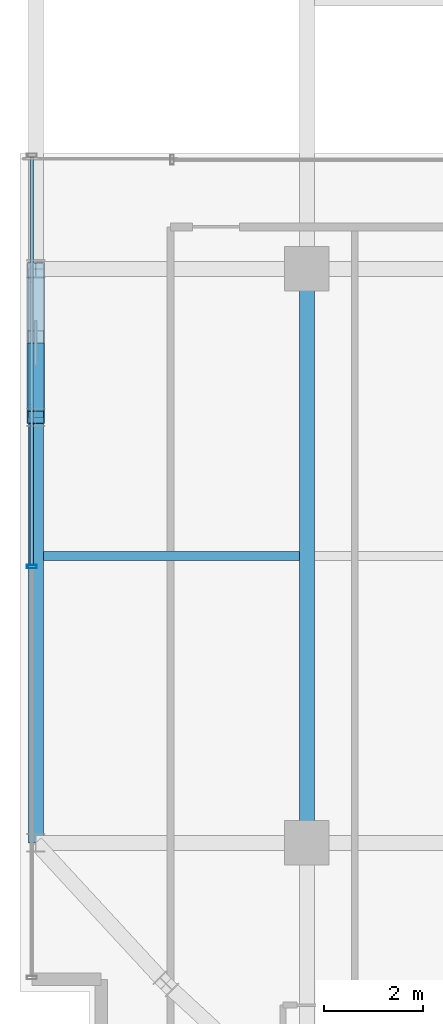
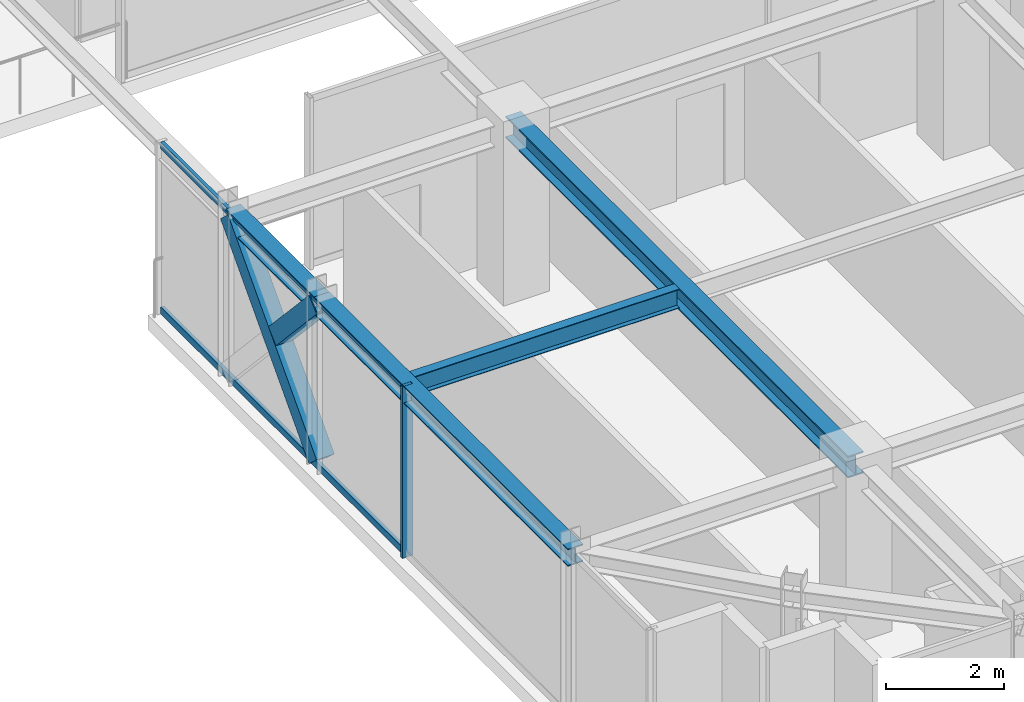
# One storey, part 6 of 39: 5 members, 4 beams, 1 element without a shape of its own.
"""IFC4 building model written with IfcOpenShell, lengths in metres."""

from ifc_helpers import new_model, si_unit, direction, frame, origin, origin_2d, place, context, subcontext, project, spatial, hollow_rectangle, i_section, extrude, source, transform, mapped, material, material_profile, profile_set, type_object, element, aggregate, save


model = new_model("IFC4")

# Units and contexts
model_context = context("Model", 3, precision=1e-05, world=origin(), true_north=direction((0.0, 1.0)))
body_context = subcontext(model_context, "Body", "Model", "MODEL_VIEW")
ifc_project = project(units=[si_unit("LENGTHUNIT", "METRE"), si_unit("AREAUNIT", "SQUARE_METRE"), si_unit("VOLUMEUNIT", "CUBIC_METRE"), si_unit("PLANEANGLEUNIT", "RADIAN"), si_unit("MASSUNIT", "GRAM", prefix="KILO")], contexts=[model_context])

# Site, building, storey
site_placement = place(None, origin())
site = spatial("IfcSite", under=ifc_project, at=site_placement, CompositionType="ELEMENT")
building_placement = place(site_placement, origin())
building = spatial("IfcBuilding", under=site, at=building_placement, Name="Nahalor Promenade Grand Hotel", CompositionType="ELEMENT")
storey_placement = place(building_placement, frame((0.0, 0.0, 311.89990234375)))
storey = spatial("IfcBuildingStorey", under=building, at=storey_placement, Name="L80", CompositionType="ELEMENT", Elevation=311.89990234375)

# Beams
ifc_material_1 = material(Name="Steel S355JR", Category="steel")
ifc_material_profile_1 = material_profile(ifc_material_1, i_section(OverallWidth=0.3, OverallDepth=0.45, WebThickness=0.014, FlangeThickness=0.026, at=origin_2d()), Name="HEB 450")
ifc_profile_set_1 = profile_set([ifc_material_profile_1], Name="Steel S355JR")
beam_type_1 = type_object("IfcBeamType", Name="Beam-Girder-HEB450", PredefinedType="BEAM", material=ifc_profile_set_1)
shared_shape_1 = source(origin(), body_context, "Body", "SweptSolid", [
    extrude(i_section(OverallWidth=0.3, OverallDepth=0.45, WebThickness=0.014, FlangeThickness=0.026, at=origin_2d()), origin(), (0.0, 0.0, 1.0), 11.60009765625),
])
beam_1_placement = place(storey_placement, frame((-17.0, -17.0, 3.3251953125), z_axis=(0.0, 1.0, 0.0), x_axis=(-1.0, 0.0, 0.0)))
element("IfcBeam", 1, at=beam_1_placement, inside=storey, type_object=beam_type_1, Name="BM-L80-GY-0-1", PredefinedType="BEAM", context=body_context, shape_type="MappedRepresentation", body=[
    mapped(shared_shape_1, transform((0.0, 0.0, 0.0), scale=1.0)),
])
ifc_material_profile_2 = material_profile(ifc_material_1, i_section(OverallWidth=0.18, OverallDepth=0.4, WebThickness=0.0086, FlangeThickness=0.0135, at=origin_2d()), Name="IPE 400")
ifc_profile_set_2 = profile_set([ifc_material_profile_2], Name="Steel S355JR")
beam_type_2 = type_object("IfcBeamType", Name="Beam-Joist-IPE400", PredefinedType="JOIST", material=ifc_profile_set_2)
shared_shape_2 = source(origin(), body_context, "Body", "SweptSolid", [
    extrude(i_section(OverallWidth=0.18, OverallDepth=0.4, WebThickness=0.0086, FlangeThickness=0.0135, at=origin_2d()), origin(), (0.0, 0.0, 1.0), 5.18017578125),
])
beam_2_placement = place(storey_placement, frame((-22.330078125, -11.199951171875, 3.35009765625), z_axis=(1.0, 0.0, 0.0), x_axis=(0.0, 1.0, 0.0)))
element("IfcBeam", 2, at=beam_2_placement, inside=storey, type_object=beam_type_2, Name="BM-L80-JSW-0-0", PredefinedType="JOIST", context=body_context, shape_type="MappedRepresentation", body=[
    mapped(shared_shape_2, transform((0.0, 0.0, 0.0), scale=1.0)),
])
ifc_material_profile_3 = material_profile(ifc_material_1, i_section(OverallWidth=0.3, OverallDepth=0.36, WebThickness=0.0125, FlangeThickness=0.0225, at=origin_2d()), Name="HEB 360")
ifc_profile_set_3 = profile_set([ifc_material_profile_3], Name="Steel S355JR")
beam_type_3 = type_object("IfcBeamType", Name="Beam-Spandrel-HEB360", PredefinedType="SPANDREL", material=ifc_profile_set_3)
shared_shape_3 = source(origin(), body_context, "Body", "SweptSolid", [
    extrude(i_section(OverallWidth=0.3, OverallDepth=0.36, WebThickness=0.0125, FlangeThickness=0.0225, at=origin_2d()), origin(), (0.0, 0.0, 1.0), 8.60009765625),
])
beam_3_placement = place(storey_placement, frame((-22.47998046875, -17.0, 3.3701171875), z_axis=(0.0, 1.0, 0.0), x_axis=(-1.0, 0.0, 0.0)))
element("IfcBeam", 3, at=beam_3_placement, inside=storey, type_object=beam_type_3, Name="BM-L80-SP-W-0", PredefinedType="SPANDREL", context=body_context, shape_type="MappedRepresentation", body=[
    mapped(shared_shape_3, transform((0.0, 0.0, 0.0), scale=1.0)),
])
shared_shape_4 = source(origin(), body_context, "Body", "SweptSolid", [
    extrude(i_section(OverallWidth=0.3, OverallDepth=0.36, WebThickness=0.0125, FlangeThickness=0.0225, at=origin_2d()), origin(), (0.0, 0.0, 1.0), 3.0),
])
beam_4_placement = place(storey_placement, frame((-22.47998046875, -8.39990234375, 3.3701171875), z_axis=(0.0, 1.0, 0.0), x_axis=(-1.0, 0.0, 0.0)))
element("IfcBeam", 4, at=beam_4_placement, inside=storey, type_object=beam_type_3, Name="BM-L80-SP-W-1", PredefinedType="SPANDREL", context=body_context, shape_type="MappedRepresentation", body=[
    mapped(shared_shape_4, transform((0.0, 0.0, 0.0), scale=1.0)),
])

# Members
ifc_material_profile_4 = material_profile(ifc_material_1, hollow_rectangle(XDim=0.35, YDim=0.35, WallThickness=0.02, at=origin_2d()), Name="SHS 350x350x20")
ifc_profile_set_4 = profile_set([ifc_material_profile_4], Name="Steel S355JR")
member_type_1 = type_object("IfcMemberType", Name="Mem-VoidBrace-SHS350", PredefinedType="BRACE", material=ifc_profile_set_4)
shared_shape_5 = source(origin(), body_context, "Body", "SweptSolid", [
    extrude(hollow_rectangle(XDim=0.35, YDim=0.35, WallThickness=0.02, at=origin_2d()), origin(), (0.0, 0.0, 1.0), 4.4228515625),
])
member_1_placement = place(storey_placement, frame((-22.47998046875, -8.39990234375, 0.150146484375), z_axis=(0.0, 0.678280102733, 0.734803444627), x_axis=(-1.0, 0.0, 0.0)))
element("IfcMember", 5, at=member_1_placement, inside=storey, type_object=member_type_1, Name="EXO-L80-VX1-W0", PredefinedType="BRACE", context=body_context, shape_type="MappedRepresentation", body=[
    mapped(shared_shape_5, transform((0.0, 0.0, 0.0), scale=1.0)),
])
shared_shape_6 = source(origin(), body_context, "Body", "SweptSolid", [
    extrude(hollow_rectangle(XDim=0.35, YDim=0.35, WallThickness=0.02, at=origin_2d()), origin(), (0.0, 0.0, 1.0), 2.02392578125),
])
member_2_placement = place(storey_placement, frame((-22.47998046875, -7.027099609375, 1.912841796875), z_axis=(0.0, -0.678255053132, 0.734826566545), x_axis=(1.0, 0.0, 0.0)))
element("IfcMember", 6, at=member_2_placement, inside=storey, type_object=member_type_1, Name="EXO-L80-VX2-W0B", PredefinedType="BRACE", context=body_context, shape_type="MappedRepresentation", body=[
    mapped(shared_shape_6, transform((0.0, 0.0, 0.0), scale=1.0)),
])

# Curtain wall, members
ifc_material_2 = material(Name="Anodised Bronze Aluminium EN AW-6063 T6", Category="aluminium")
curtain_wall_type = type_object("IfcCurtainWallType", Name="CW3 Elliptical-Void Collar Unitised Curtain Wall", PredefinedType="USERDEFINED", material=ifc_material_2)
curtain_wall_placement = place(storey_placement, origin())
curtain_wall = element("IfcCurtainWall", 7, at=curtain_wall_placement, inside=storey, type_object=curtain_wall_type, Name="L80 Curtain Wall CW-L80-W-1", ObjectType="UNITISED_CURTAIN_WALL", PredefinedType="USERDEFINED")
ifc_material_profile_5 = material_profile(ifc_material_2, hollow_rectangle(XDim=0.07, YDim=0.2, WallThickness=0.005, at=origin_2d()), Name="CWM 70x200x5")
ifc_profile_set_5 = profile_set([ifc_material_profile_5], Name="Anodised Bronze Aluminium EN AW-6063 T6")
member_type_2 = type_object("IfcMemberType", Name="CWM3 Void Collar Mullion 70x200", PredefinedType="MULLION", material=ifc_profile_set_5)
shared_shape_7 = source(origin(), body_context, "Body", "SweptSolid", [
    extrude(hollow_rectangle(XDim=0.07, YDim=0.2, WallThickness=0.005, at=origin_2d()), origin(), (0.0, 0.0, 1.0), 3.550048828125),
])
member_3_placement = place(storey_placement, frame((-22.56005859375, -11.41552734375, 0.0), z_axis=(0.0, 0.0, 1.0), x_axis=(0.0, 1.0, 0.0)))
member_3 = element("IfcMember", 8, at=member_3_placement, type_object=member_type_2, Name="CW-L80-W-1 Mullion 1", PredefinedType="MULLION", context=body_context, shape_type="MappedRepresentation", body=[
    mapped(shared_shape_7, transform((0.0, 0.0, 0.0), scale=1.0)),
])
ifc_material_profile_6 = material_profile(ifc_material_2, hollow_rectangle(XDim=0.07, YDim=0.14, WallThickness=0.004, at=origin_2d()), Name="CWT 70x140x4")
ifc_profile_set_6 = profile_set([ifc_material_profile_6], Name="Anodised Bronze Aluminium EN AW-6063 T6")
member_type_3 = type_object("IfcMemberType", Name="CWT3 Void Collar Transom 70x140", PredefinedType="USERDEFINED", material=ifc_profile_set_6)
shared_shape_8 = source(origin(), body_context, "Body", "SweptSolid", [
    extrude(hollow_rectangle(XDim=0.07, YDim=0.14, WallThickness=0.004, at=origin_2d()), origin(), (0.0, 0.0, 1.0), 8.239501953125),
])
member_4_placement = place(storey_placement, frame((-22.56005859375, -11.380615234375, 0.070068359375), z_axis=(0.0, 1.0, 0.0), x_axis=(-1.0, 0.0, 0.0)))
member_4 = element("IfcMember", 9, at=member_4_placement, type_object=member_type_3, Name="CW-L80-W-1 Transom 1-0", ObjectType="TRANSOM", PredefinedType="USERDEFINED", context=body_context, shape_type="MappedRepresentation", body=[
    mapped(shared_shape_8, transform((0.0, 0.0, 0.0), scale=1.0)),
])
member_5_placement = place(storey_placement, frame((-22.56005859375, -11.380615234375, 3.47998046875), z_axis=(0.0, 1.0, 0.0), x_axis=(-1.0, 0.0, 0.0)))
member_5 = element("IfcMember", 10, at=member_5_placement, type_object=member_type_3, Name="CW-L80-W-1 Transom 1-1", ObjectType="TRANSOM", PredefinedType="USERDEFINED", context=body_context, shape_type="MappedRepresentation", body=[
    mapped(shared_shape_8, transform((0.0, 0.0, 0.0), scale=1.0)),
])
aggregate(curtain_wall, [member_3, member_4, member_5])

save(model, "model.ifc")
